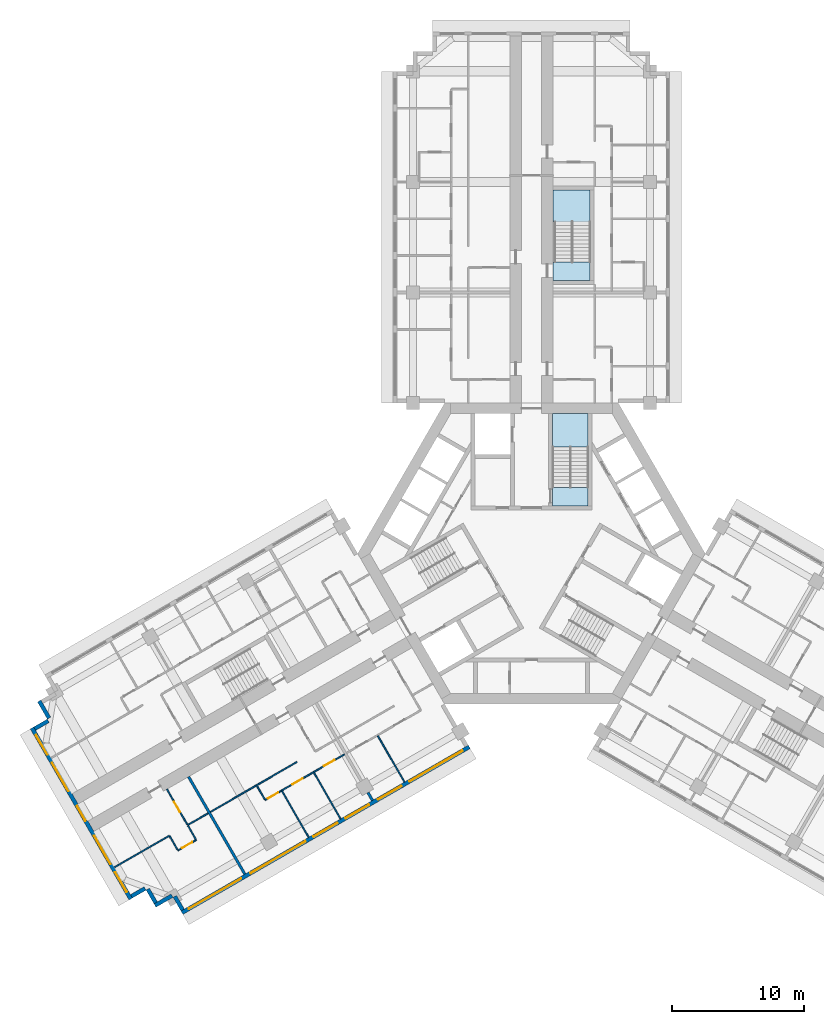
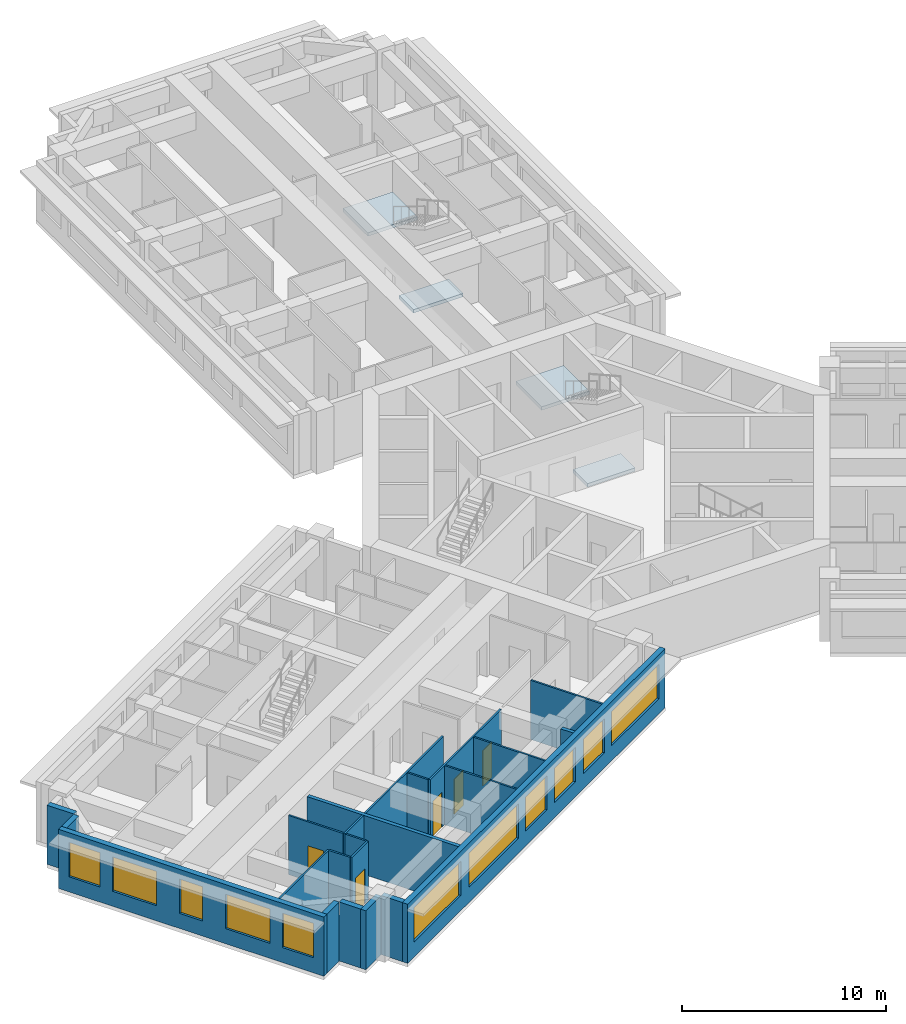
# One storey, part 2 of 13: 22 walls, 11 windows, 5 doors, 4 slabs, 16 openings, 2 elements without a shape of their own.
"""IFC4 building model written with IfcOpenShell, lengths in metres."""

from ifc_helpers import new_model, si_unit, direction, frame, frame_2d, origin, place, context, subcontext, project, spatial, polyline, rectangle, outline, extrude, material, layer, layer_set, type_object, element, fill, aggregate, save


model = new_model("IFC4")

# Units and contexts
model_context = context("Model", 3, precision=1e-05, world=origin(), true_north=direction((0.0, 1.0)))
body_context = subcontext(model_context, "Body", "Model", "MODEL_VIEW")
ifc_project = project(units=[si_unit("LENGTHUNIT", "METRE"), si_unit("AREAUNIT", "SQUARE_METRE"), si_unit("VOLUMEUNIT", "CUBIC_METRE"), si_unit("PLANEANGLEUNIT", "RADIAN"), si_unit("MASSUNIT", "GRAM", prefix="KILO")], contexts=[model_context])

# Site, building, storey
site_placement = place(None, origin())
site = spatial("IfcSite", under=ifc_project, at=site_placement, CompositionType="ELEMENT")
building_placement = place(site_placement, origin())
building = spatial("IfcBuilding", under=site, at=building_placement, Name="Impinga Residences", CompositionType="ELEMENT")
storey_placement = place(building_placement, frame((0.0, 0.0, 151.0)))
storey = spatial("IfcBuildingStorey", under=building, at=storey_placement, Name="L37", CompositionType="ELEMENT", Elevation=151.0)

# Stair, slabs
ifc_material_1 = material(Name="Concrete C40/50", Category="concrete")
stair_type_1 = type_object("IfcStairType", Name="STR core stair 3750 storey, 24 risers", PredefinedType="HALF_TURN_STAIR", material=ifc_material_1)
stair_1_placement = place(storey_placement, origin())
stair_1 = element("IfcStair", 1, at=stair_1_placement, inside=storey, type_object=stair_type_1, Name="Stair ST1 L37", PredefinedType="HALF_TURN_STAIR")
ifc_layer_1 = layer(ifc_material_1, 0.199951171875)
ifc_layer_set_1 = layer_set([ifc_layer_1], Name="Concrete C40/50")
slab_type = type_object("IfcSlabType", Name="LS1 stair landing 200", PredefinedType="LANDING", material=ifc_layer_set_1)
slab_1_placement = place(storey_placement, frame((0.0, 0.0, -0.199951171875)))
slab_1 = element("IfcSlab", 2, at=slab_1_placement, type_object=slab_type, Name="ST1 landing 1", PredefinedType="LANDING", context=body_context, shape_type="SweptSolid", body=[
    extrude(outline(polyline([(1.60009765625, 3.6298828125), (4.300048828125, 3.6298828125), (4.300048828125, 5.0400390625), (1.60009765625, 5.0400390625), (1.60009765625, 3.6298828125)])), origin(), (0.0, 0.0, 1.0), 0.199951171875),
])
slab_2_placement = place(storey_placement, frame((0.0, 0.0, 1.675048828125)))
slab_2 = element("IfcSlab", 3, at=slab_2_placement, type_object=slab_type, Name="ST1 landing 2", PredefinedType="LANDING", context=body_context, shape_type="SweptSolid", body=[
    extrude(outline(polyline([(1.60009765625, 8.10009765625), (4.300048828125, 8.10009765625), (4.300048828125, 10.631591796875), (1.60009765625, 10.631591796875), (1.60009765625, 8.10009765625)])), origin(), (0.0, 0.0, 1.0), 0.199951171875),
])
aggregate(stair_1, [slab_1, slab_2])

stair_type_2 = type_object("IfcStairType", Name="STR wing stair 3750 storey, 24 risers", PredefinedType="HALF_TURN_STAIR", material=ifc_material_1)
stair_2_placement = place(storey_placement, origin())
stair_2 = element("IfcStair", 4, at=stair_2_placement, inside=storey, type_object=stair_type_2, Name="Stair WS1 L37", PredefinedType="HALF_TURN_STAIR")
slab_3_placement = place(storey_placement, frame((0.0, 0.0, -0.199951171875)))
slab_3 = element("IfcSlab", 5, at=slab_3_placement, type_object=slab_type, Name="WS1 landing 1", PredefinedType="LANDING", context=body_context, shape_type="SweptSolid", body=[
    extrude(outline(polyline([(1.64990234375, 20.7314453125), (4.449951171875, 20.7314453125), (4.449951171875, 22.1416015625), (1.64990234375, 22.1416015625), (1.64990234375, 20.7314453125)])), origin(), (0.0, 0.0, 1.0), 0.199951171875),
])
slab_4_placement = place(storey_placement, frame((0.0, 0.0, 1.675048828125)))
slab_4 = element("IfcSlab", 6, at=slab_4_placement, type_object=slab_type, Name="WS1 landing 2", PredefinedType="LANDING", context=body_context, shape_type="SweptSolid", body=[
    extrude(outline(polyline([(1.64990234375, 25.201416015625), (4.449951171875, 25.201416015625), (4.449951171875, 27.631591796875), (1.64990234375, 27.631591796875), (1.64990234375, 25.201416015625)])), origin(), (0.0, 0.0, 1.0), 0.199951171875),
])
aggregate(stair_2, [slab_3, slab_4])

# Wall, openings, windows
ifc_material_2 = material(Name="Terracotta rainscreen on blockwork", Category="masonry")
ifc_layer_2 = layer(ifc_material_2, 0.300048828125)
ifc_layer_set_2 = layer_set([ifc_layer_2], Name="EW1 external wall, terracotta rainscreen on blockwork 300")
wall_type_1 = type_object("IfcWallType", Name="EW1 external wall, terracotta rainscreen on blockwork 300", PredefinedType="SOLIDWALL", material=ifc_layer_set_2)
wall_1_placement = place(storey_placement, frame((-4.72509765625, -14.67919921875, 0.0), z_axis=(0.0, 0.0, 1.0), x_axis=(-0.866026832479, -0.499997525421, 0.0)))
wall_1 = element("IfcWall", 7, at=wall_1_placement, inside=storey, type_object=wall_type_1, Name="External wall EW1 L37", PredefinedType="SOLIDWALL", context=body_context, shape_type="SweptSolid", body=[
    extrude(rectangle(XDim=25.199951171875, YDim=0.300048828125, at=frame_2d((12.60009765625, 0.0))), origin(), (0.0, 0.0, 1.0), 3.530029296875),
])
opening_1_placement = place(wall_1_placement, frame((0.60009765625, 0.0, 0.89990234375)))
opening_1 = element("IfcOpeningElement", 8, at=opening_1_placement, cuts=wall_1, Name="Opening W10", PredefinedType="OPENING", context=body_context, shape_type="SweptSolid", body=[
    extrude(rectangle(XDim=4.64990234375, YDim=2.050048828125, at=frame_2d((2.324951171875, 1.02490234375))), frame((0.0, 0.159912109375, 0.0), z_axis=(0.0, -1.0, 0.0), x_axis=(1.0, 0.0, 0.0)), (0.0, 0.0, 1.0), 0.320068359375),
])
opening_2_placement = place(wall_1_placement, frame((5.949951171875, 0.0, 0.89990234375)))
opening_2 = element("IfcOpeningElement", 9, at=opening_2_placement, cuts=wall_1, Name="Opening W14", PredefinedType="OPENING", context=body_context, shape_type="SweptSolid", body=[
    extrude(rectangle(XDim=2.050048828125, YDim=2.050048828125, at=frame_2d((1.02490234375, 1.02490234375))), frame((0.0, 0.159912109375, 0.0), z_axis=(0.0, -1.0, 0.0), x_axis=(1.0, 0.0, 0.0)), (0.0, 0.0, 1.0), 0.320068359375),
])
opening_3_placement = place(wall_1_placement, frame((8.800048828125, 0.0, 0.89990234375)))
opening_3 = element("IfcOpeningElement", 10, at=opening_3_placement, cuts=wall_1, Name="Opening W14", PredefinedType="OPENING", context=body_context, shape_type="SweptSolid", body=[
    extrude(rectangle(XDim=2.050048828125, YDim=2.050048828125, at=frame_2d((1.02490234375, 1.02490234375))), frame((0.0, 0.159912109375, 0.0), z_axis=(0.0, -1.0, 0.0), x_axis=(1.0, 0.0, 0.0)), (0.0, 0.0, 1.0), 0.320068359375),
])
opening_4_placement = place(wall_1_placement, frame((11.550048828125, 0.0, 0.89990234375)))
opening_4 = element("IfcOpeningElement", 11, at=opening_4_placement, cuts=wall_1, Name="Opening W9", PredefinedType="OPENING", context=body_context, shape_type="SweptSolid", body=[
    extrude(rectangle(XDim=2.10009765625, YDim=2.050048828125, at=frame_2d((1.050048828125, 1.02490234375))), frame((0.0, 0.159912109375, 0.0), z_axis=(0.0, -1.0, 0.0), x_axis=(1.0, 0.0, 0.0)), (0.0, 0.0, 1.0), 0.320068359375),
])
opening_5_placement = place(wall_1_placement, frame((14.35009765625, 0.0, 0.89990234375)))
opening_5 = element("IfcOpeningElement", 12, at=opening_5_placement, cuts=wall_1, Name="Opening W6", PredefinedType="OPENING", context=body_context, shape_type="SweptSolid", body=[
    extrude(rectangle(XDim=4.85009765625, YDim=2.050048828125, at=frame_2d((2.425048828125, 1.02490234375))), frame((0.0, 0.159912109375, 0.0), z_axis=(0.0, -1.0, 0.0), x_axis=(1.0, 0.0, 0.0)), (0.0, 0.0, 1.0), 0.320068359375),
])
opening_6_placement = place(wall_1_placement, frame((20.0, 0.0, 0.89990234375)))
opening_6 = element("IfcOpeningElement", 13, at=opening_6_placement, cuts=wall_1, Name="Opening W3", PredefinedType="OPENING", context=body_context, shape_type="SweptSolid", body=[
    extrude(rectangle(XDim=4.60009765625, YDim=2.050048828125, at=frame_2d((2.300048828125, 1.02490234375))), frame((0.0, 0.159912109375, 0.0), z_axis=(0.0, -1.0, 0.0), x_axis=(1.0, 0.0, 0.0)), (0.0, 0.0, 1.0), 0.320068359375),
])
ifc_material_3 = material(Name="Aluminium window, clear double glazing", Category="aluminium")
window_type_1 = type_object("IfcWindowType", Name="W10 ribbon window 4650x2050", PartitioningType="SINGLE_PANEL", PredefinedType="WINDOW", material=ifc_material_3)
window_1_placement = place(opening_1_placement, origin())
window_1 = element("IfcWindow", 14, at=window_1_placement, inside=storey, type_object=window_type_1, Name="Window L37", OverallHeight=2.050048828125, OverallWidth=4.64990234375, PartitioningType="SINGLE_PANEL", PredefinedType="WINDOW", context=body_context, shape_type="SweptSolid", body=[
    extrude(rectangle(XDim=4.64990234375, YDim=2.050048828125, at=frame_2d((2.324951171875, 1.02490234375))), frame((0.0, 0.030029296875, 0.0), z_axis=(0.0, -1.0, 0.0), x_axis=(1.0, 0.0, 0.0)), (0.0, 0.0, 1.0), 0.06005859375),
])
fill(opening_1, window_1)
window_type_2 = type_object("IfcWindowType", Name="W14 ribbon window 2050x2050", PartitioningType="SINGLE_PANEL", PredefinedType="WINDOW", material=ifc_material_3)
window_2_placement = place(opening_2_placement, origin())
window_2 = element("IfcWindow", 15, at=window_2_placement, inside=storey, type_object=window_type_2, Name="Window L37", OverallHeight=2.050048828125, OverallWidth=2.050048828125, PartitioningType="SINGLE_PANEL", PredefinedType="WINDOW", context=body_context, shape_type="SweptSolid", body=[
    extrude(rectangle(XDim=2.050048828125, YDim=2.050048828125, at=frame_2d((1.02490234375, 1.02490234375))), frame((0.0, 0.030029296875, 0.0), z_axis=(0.0, -1.0, 0.0), x_axis=(1.0, 0.0, 0.0)), (0.0, 0.0, 1.0), 0.06005859375),
])
fill(opening_2, window_2)
window_3_placement = place(opening_3_placement, origin())
window_3 = element("IfcWindow", 16, at=window_3_placement, inside=storey, type_object=window_type_2, Name="Window L37", OverallHeight=2.050048828125, OverallWidth=2.050048828125, PartitioningType="SINGLE_PANEL", PredefinedType="WINDOW", context=body_context, shape_type="SweptSolid", body=[
    extrude(rectangle(XDim=2.050048828125, YDim=2.050048828125, at=frame_2d((1.02490234375, 1.02490234375))), frame((0.0, 0.030029296875, 0.0), z_axis=(0.0, -1.0, 0.0), x_axis=(1.0, 0.0, 0.0)), (0.0, 0.0, 1.0), 0.06005859375),
])
fill(opening_3, window_3)
window_type_3 = type_object("IfcWindowType", Name="W3 ribbon window 4600x2050", PartitioningType="SINGLE_PANEL", PredefinedType="WINDOW", material=ifc_material_3)
window_4_placement = place(opening_6_placement, origin())
window_4 = element("IfcWindow", 17, at=window_4_placement, inside=storey, type_object=window_type_3, Name="Window L37", OverallHeight=2.050048828125, OverallWidth=4.60009765625, PartitioningType="SINGLE_PANEL", PredefinedType="WINDOW", context=body_context, shape_type="SweptSolid", body=[
    extrude(rectangle(XDim=4.60009765625, YDim=2.050048828125, at=frame_2d((2.300048828125, 1.02490234375))), frame((0.0, 0.030029296875, 0.0), z_axis=(0.0, -1.0, 0.0), x_axis=(1.0, 0.0, 0.0)), (0.0, 0.0, 1.0), 0.06005859375),
])
fill(opening_6, window_4)
window_type_4 = type_object("IfcWindowType", Name="W6 ribbon window 4850x2050", PartitioningType="SINGLE_PANEL", PredefinedType="WINDOW", material=ifc_material_3)
window_5_placement = place(opening_5_placement, origin())
window_5 = element("IfcWindow", 18, at=window_5_placement, inside=storey, type_object=window_type_4, Name="Window L37", OverallHeight=2.050048828125, OverallWidth=4.85009765625, PartitioningType="SINGLE_PANEL", PredefinedType="WINDOW", context=body_context, shape_type="SweptSolid", body=[
    extrude(rectangle(XDim=4.85009765625, YDim=2.050048828125, at=frame_2d((2.425048828125, 1.02490234375))), frame((0.0, 0.030029296875, 0.0), z_axis=(0.0, -1.0, 0.0), x_axis=(1.0, 0.0, 0.0)), (0.0, 0.0, 1.0), 0.06005859375),
])
fill(opening_5, window_5)
window_type_5 = type_object("IfcWindowType", Name="W9 ribbon window 2100x2050", PartitioningType="SINGLE_PANEL", PredefinedType="WINDOW", material=ifc_material_3)
window_6_placement = place(opening_4_placement, origin())
window_6 = element("IfcWindow", 19, at=window_6_placement, inside=storey, type_object=window_type_5, Name="Window L37", OverallHeight=2.050048828125, OverallWidth=2.10009765625, PartitioningType="SINGLE_PANEL", PredefinedType="WINDOW", context=body_context, shape_type="SweptSolid", body=[
    extrude(rectangle(XDim=2.10009765625, YDim=2.050048828125, at=frame_2d((1.050048828125, 1.02490234375))), frame((0.0, 0.030029296875, 0.0), z_axis=(0.0, -1.0, 0.0), x_axis=(1.0, 0.0, 0.0)), (0.0, 0.0, 1.0), 0.06005859375),
])
fill(opening_4, window_6)

# Walls
wall_2_placement = place(storey_placement, frame((-26.493896484375, -27.07421875, 0.0), z_axis=(0.0, 0.0, 1.0), x_axis=(-0.500033551112, 0.866006032174, 0.0)))
element("IfcWall", 20, at=wall_2_placement, inside=storey, type_object=wall_type_1, Name="External wall EW1 L37", PredefinedType="SOLIDWALL", context=body_context, shape_type="SweptSolid", body=[
    extrude(rectangle(XDim=1.2001953125, YDim=0.300048828125, at=frame_2d((0.60009765625, 0.0))), origin(), (0.0, 0.0, 1.0), 3.530029296875),
])
wall_3_placement = place(storey_placement, frame((-27.30322265625, -25.982666015625, 0.0), z_axis=(0.0, 0.0, 1.0), x_axis=(-0.866074087889, -0.499915667175, 0.0)))
element("IfcWall", 21, at=wall_3_placement, inside=storey, type_object=wall_type_1, Name="External wall EW1 L37", PredefinedType="SOLIDWALL", context=body_context, shape_type="SweptSolid", body=[
    extrude(rectangle(XDim=1.494873046875, YDim=0.300048828125, at=frame_2d((0.74755859375, 0.0))), origin(), (0.0, 0.0, 1.0), 3.530029296875),
])
wall_4_placement = place(storey_placement, frame((-28.54296875, -26.525146484375, 0.0), z_axis=(0.0, 0.0, 1.0), x_axis=(-0.500033551112, 0.866006032174, 0.0)))
element("IfcWall", 22, at=wall_4_placement, inside=storey, type_object=wall_type_1, Name="External wall EW1 L37", PredefinedType="SOLIDWALL", context=body_context, shape_type="SweptSolid", body=[
    extrude(rectangle(XDim=1.2001953125, YDim=0.300048828125, at=frame_2d((0.60009765625, 0.0))), origin(), (0.0, 0.0, 1.0), 3.530029296875),
])
wall_5_placement = place(storey_placement, frame((-29.352294921875, -25.43359375, 0.0), z_axis=(0.0, 0.0, 1.0), x_axis=(-0.866059708757, -0.499940577336, 0.0)))
element("IfcWall", 23, at=wall_5_placement, inside=storey, type_object=wall_type_1, Name="External wall EW1 L37", PredefinedType="SOLIDWALL", context=body_context, shape_type="SweptSolid", body=[
    extrude(rectangle(XDim=1.195068359375, YDim=0.300048828125, at=frame_2d((0.59765625, 0.0))), origin(), (0.0, 0.0, 1.0), 3.530029296875),
])

# Wall, openings, windows
wall_6_placement = place(storey_placement, frame((-30.44189453125, -26.23583984375, 0.0), z_axis=(0.0, 0.0, 1.0), x_axis=(-0.500004234368, 0.866022959057, 0.0)))
wall_6 = element("IfcWall", 24, at=wall_6_placement, inside=storey, type_object=wall_type_1, Name="External wall EW1 L37", PredefinedType="SOLIDWALL", context=body_context, shape_type="SweptSolid", body=[
    extrude(rectangle(XDim=14.999755859375, YDim=0.300048828125, at=frame_2d((7.5, 0.0))), origin(), (0.0, 0.0, 1.0), 3.530029296875),
])
opening_7_placement = place(wall_6_placement, frame((0.60009765625, 0.0, 0.89990234375)))
opening_7 = element("IfcOpeningElement", 25, at=opening_7_placement, cuts=wall_6, Name="Opening W1", PredefinedType="OPENING", context=body_context, shape_type="SweptSolid", body=[
    extrude(rectangle(XDim=1.75, YDim=2.050048828125, at=frame_2d((0.875, 1.02490234375))), frame((0.0, 0.159912109375, 0.0), z_axis=(0.0, -1.0, 0.0), x_axis=(1.0, 0.0, 0.0)), (0.0, 0.0, 1.0), 0.320068359375),
])
opening_8_placement = place(wall_6_placement, frame((3.050048828125, 0.0, 0.89990234375)))
opening_8 = element("IfcOpeningElement", 26, at=opening_8_placement, cuts=wall_6, Name="Opening W2", PredefinedType="OPENING", context=body_context, shape_type="SweptSolid", body=[
    extrude(rectangle(XDim=2.5, YDim=2.050048828125, at=frame_2d((1.25, 1.02490234375))), frame((0.0, 0.159912109375, 0.0), z_axis=(0.0, -1.0, 0.0), x_axis=(1.0, 0.0, 0.0)), (0.0, 0.0, 1.0), 0.320068359375),
])
opening_9_placement = place(wall_6_placement, frame((6.85009765625, 0.0, 0.89990234375)))
opening_9 = element("IfcOpeningElement", 27, at=opening_9_placement, cuts=wall_6, Name="Opening W17", PredefinedType="OPENING", context=body_context, shape_type="SweptSolid", body=[
    extrude(rectangle(XDim=1.300048828125, YDim=2.050048828125, at=frame_2d((0.64990234375, 1.02490234375))), frame((0.0, 0.159912109375, 0.0), z_axis=(0.0, -1.0, 0.0), x_axis=(1.0, 0.0, 0.0)), (0.0, 0.0, 1.0), 0.320068359375),
])
opening_10_placement = place(wall_6_placement, frame((9.449951171875, 0.0, 0.89990234375)))
opening_10 = element("IfcOpeningElement", 28, at=opening_10_placement, cuts=wall_6, Name="Opening W2", PredefinedType="OPENING", context=body_context, shape_type="SweptSolid", body=[
    extrude(rectangle(XDim=2.5, YDim=2.050048828125, at=frame_2d((1.25, 1.02490234375))), frame((0.0, 0.159912109375, 0.0), z_axis=(0.0, -1.0, 0.0), x_axis=(1.0, 0.0, 0.0)), (0.0, 0.0, 1.0), 0.320068359375),
])
opening_11_placement = place(wall_6_placement, frame((12.64990234375, 0.0, 0.89990234375)))
opening_11 = element("IfcOpeningElement", 29, at=opening_11_placement, cuts=wall_6, Name="Opening W1", PredefinedType="OPENING", context=body_context, shape_type="SweptSolid", body=[
    extrude(rectangle(XDim=1.75, YDim=2.050048828125, at=frame_2d((0.875, 1.02490234375))), frame((0.0, 0.159912109375, 0.0), z_axis=(0.0, -1.0, 0.0), x_axis=(1.0, 0.0, 0.0)), (0.0, 0.0, 1.0), 0.320068359375),
])
window_type_6 = type_object("IfcWindowType", Name="W1 ribbon window 1750x2050", PartitioningType="SINGLE_PANEL", PredefinedType="WINDOW", material=ifc_material_3)
window_7_placement = place(opening_7_placement, origin())
window_7 = element("IfcWindow", 30, at=window_7_placement, inside=storey, type_object=window_type_6, Name="Window L37", OverallHeight=2.050048828125, OverallWidth=1.75, PartitioningType="SINGLE_PANEL", PredefinedType="WINDOW", context=body_context, shape_type="SweptSolid", body=[
    extrude(rectangle(XDim=1.75, YDim=2.050048828125, at=frame_2d((0.875, 1.02490234375))), frame((0.0, 0.030029296875, 0.0), z_axis=(0.0, -1.0, 0.0), x_axis=(1.0, 0.0, 0.0)), (0.0, 0.0, 1.0), 0.06005859375),
])
fill(opening_7, window_7)
window_8_placement = place(opening_11_placement, origin())
window_8 = element("IfcWindow", 31, at=window_8_placement, inside=storey, type_object=window_type_6, Name="Window L37", OverallHeight=2.050048828125, OverallWidth=1.75, PartitioningType="SINGLE_PANEL", PredefinedType="WINDOW", context=body_context, shape_type="SweptSolid", body=[
    extrude(rectangle(XDim=1.75, YDim=2.050048828125, at=frame_2d((0.875, 1.02490234375))), frame((0.0, 0.030029296875, 0.0), z_axis=(0.0, -1.0, 0.0), x_axis=(1.0, 0.0, 0.0)), (0.0, 0.0, 1.0), 0.06005859375),
])
fill(opening_11, window_8)
window_type_7 = type_object("IfcWindowType", Name="W17 ribbon window 1300x2050", PartitioningType="SINGLE_PANEL", PredefinedType="WINDOW", material=ifc_material_3)
window_9_placement = place(opening_9_placement, origin())
window_9 = element("IfcWindow", 32, at=window_9_placement, inside=storey, type_object=window_type_7, Name="Window L37", OverallHeight=2.050048828125, OverallWidth=1.300048828125, PartitioningType="SINGLE_PANEL", PredefinedType="WINDOW", context=body_context, shape_type="SweptSolid", body=[
    extrude(rectangle(XDim=1.300048828125, YDim=2.050048828125, at=frame_2d((0.64990234375, 1.02490234375))), frame((0.0, 0.030029296875, 0.0), z_axis=(0.0, -1.0, 0.0), x_axis=(1.0, 0.0, 0.0)), (0.0, 0.0, 1.0), 0.06005859375),
])
fill(opening_9, window_9)
window_type_8 = type_object("IfcWindowType", Name="W2 ribbon window 2500x2050", PartitioningType="SINGLE_PANEL", PredefinedType="WINDOW", material=ifc_material_3)
window_10_placement = place(opening_8_placement, origin())
window_10 = element("IfcWindow", 33, at=window_10_placement, inside=storey, type_object=window_type_8, Name="Window L37", OverallHeight=2.050048828125, OverallWidth=2.5, PartitioningType="SINGLE_PANEL", PredefinedType="WINDOW", context=body_context, shape_type="SweptSolid", body=[
    extrude(rectangle(XDim=2.5, YDim=2.050048828125, at=frame_2d((1.25, 1.02490234375))), frame((0.0, 0.030029296875, 0.0), z_axis=(0.0, -1.0, 0.0), x_axis=(1.0, 0.0, 0.0)), (0.0, 0.0, 1.0), 0.06005859375),
])
fill(opening_8, window_10)
window_11_placement = place(opening_10_placement, origin())
window_11 = element("IfcWindow", 34, at=window_11_placement, inside=storey, type_object=window_type_8, Name="Window L37", OverallHeight=2.050048828125, OverallWidth=2.5, PartitioningType="SINGLE_PANEL", PredefinedType="WINDOW", context=body_context, shape_type="SweptSolid", body=[
    extrude(rectangle(XDim=2.5, YDim=2.050048828125, at=frame_2d((1.25, 1.02490234375))), frame((0.0, 0.030029296875, 0.0), z_axis=(0.0, -1.0, 0.0), x_axis=(1.0, 0.0, 0.0)), (0.0, 0.0, 1.0), 0.06005859375),
])
fill(opening_10, window_11)

# Walls
wall_7_placement = place(storey_placement, frame((-37.737060546875, -13.300537109375, 0.0), z_axis=(0.0, 0.0, 1.0), x_axis=(0.865971243484, 0.500093796661, 0.0)))
element("IfcWall", 35, at=wall_7_placement, inside=storey, type_object=wall_type_1, Name="External wall EW1 L37", PredefinedType="SOLIDWALL", context=body_context, shape_type="SweptSolid", body=[
    extrude(rectangle(XDim=1.195068359375, YDim=0.300048828125, at=frame_2d((0.59765625, 0.0))), origin(), (0.0, 0.0, 1.0), 3.530029296875),
])
wall_8_placement = place(storey_placement, frame((-36.64306640625, -12.49560546875, 0.0), z_axis=(0.0, 0.0, 1.0), x_axis=(-0.499990139034, 0.866031096941, 0.0)))
element("IfcWall", 36, at=wall_8_placement, inside=storey, type_object=wall_type_1, Name="External wall EW1 L37", PredefinedType="SOLIDWALL", context=body_context, shape_type="SweptSolid", body=[
    extrude(rectangle(XDim=1.5, YDim=0.300048828125, at=frame_2d((0.75, 0.0))), origin(), (0.0, 0.0, 1.0), 3.530029296875),
])
ifc_material_4 = material(Name="Gypsum board on steel studs", Category="steel")
ifc_layer_3 = layer(ifc_material_4, 0.10009765625)
ifc_layer_set_3 = layer_set([ifc_layer_3], Name="Gypsum board on steel studs")
wall_type_2 = type_object("IfcWallType", Name="IP1 partition 100", PredefinedType="PARTITIONING", material=ifc_layer_set_3)
wall_9_placement = place(storey_placement, frame((-11.6748046875, -13.841796875, 0.0), z_axis=(0.0, 0.0, 1.0), x_axis=(0.500035537042, -0.866004885491, 0.0)))
element("IfcWall", 37, at=wall_9_placement, inside=storey, type_object=wall_type_2, Name="Partition L37-WA1:OB1", PredefinedType="PARTITIONING", context=body_context, shape_type="SweptSolid", body=[
    extrude(rectangle(XDim=4.050048828125, YDim=0.10009765625, at=frame_2d((2.02490234375, 0.0))), origin(), (0.0, 0.0, 1.0), 3.530029296875),
])
wall_10_placement = place(storey_placement, frame((-17.8056640625, -15.82275390625, 0.0), z_axis=(0.0, 0.0, 1.0), x_axis=(-0.866022425744, -0.500005158081, 0.0)))
element("IfcWall", 38, at=wall_10_placement, inside=storey, type_object=wall_type_2, Name="Partition L37-WA2:DIV1", PredefinedType="PARTITIONING", context=body_context, shape_type="SweptSolid", body=[
    extrude(rectangle(XDim=7.60009765625, YDim=0.10009765625, at=frame_2d((3.800048828125, 0.0))), origin(), (0.0, 0.0, 1.0), 3.530029296875),
])

# Wall, openings, doors
wall_11_placement = place(storey_placement, frame((-14.211181640625, -15.24853515625, 0.0), z_axis=(0.0, 0.0, 1.0), x_axis=(-0.866016523273, -0.500015381182, 0.0)))
wall_11 = element("IfcWall", 39, at=wall_11_placement, inside=storey, type_object=wall_type_2, Name="Partition L37-WA2:STRIP", PredefinedType="PARTITIONING", context=body_context, shape_type="SweptSolid", body=[
    extrude(rectangle(XDim=6.949951171875, YDim=0.10009765625, at=frame_2d((3.47509765625, 0.0))), origin(), (0.0, 0.0, 1.0), 3.530029296875),
])
opening_12_placement = place(wall_11_placement, frame((0.875, 0.0, 0.0)))
opening_12 = element("IfcOpeningElement", 40, at=opening_12_placement, cuts=wall_11, Name="Opening D2", PredefinedType="OPENING", context=body_context, shape_type="SweptSolid", body=[
    extrude(rectangle(XDim=0.89990234375, YDim=2.10009765625, at=frame_2d((0.449951171875, 1.050048828125))), frame((0.0, 0.06005859375, 0.0), z_axis=(0.0, -1.0, 0.0), x_axis=(1.0, 0.0, 0.0)), (0.0, 0.0, 1.0), 0.1201171875),
])
opening_13_placement = place(wall_11_placement, frame((3.64990234375, 0.0, 0.0)))
opening_13 = element("IfcOpeningElement", 41, at=opening_13_placement, cuts=wall_11, Name="Opening D2", PredefinedType="OPENING", context=body_context, shape_type="SweptSolid", body=[
    extrude(rectangle(XDim=0.89990234375, YDim=2.10009765625, at=frame_2d((0.449951171875, 1.050048828125))), frame((0.0, 0.06005859375, 0.0), z_axis=(0.0, -1.0, 0.0), x_axis=(1.0, 0.0, 0.0)), (0.0, 0.0, 1.0), 0.1201171875),
])
opening_14_placement = place(wall_11_placement, frame((5.800048828125, 0.0, 0.0)))
opening_14 = element("IfcOpeningElement", 42, at=opening_14_placement, cuts=wall_11, Name="Opening D2", PredefinedType="OPENING", context=body_context, shape_type="SweptSolid", body=[
    extrude(rectangle(XDim=0.89990234375, YDim=2.10009765625, at=frame_2d((0.449951171875, 1.050048828125))), frame((0.0, 0.06005859375, 0.0), z_axis=(0.0, -1.0, 0.0), x_axis=(1.0, 0.0, 0.0)), (0.0, 0.0, 1.0), 0.1201171875),
])
ifc_material_5 = material(Name="Timber door set", Category="wood")
door_type = type_object("IfcDoorType", Name="D2 internal door 900x2100", OperationType="SINGLE_SWING_LEFT", PredefinedType="DOOR", material=ifc_material_5)
door_1_placement = place(opening_12_placement, origin())
door_1 = element("IfcDoor", 43, at=door_1_placement, inside=storey, type_object=door_type, Name="Apartment L37-WA2 room door", OperationType="SINGLE_SWING_LEFT", OverallHeight=2.10009765625, OverallWidth=0.89990234375, PredefinedType="DOOR", context=body_context, shape_type="SweptSolid", body=[
    extrude(rectangle(XDim=0.89990234375, YDim=2.10009765625, at=frame_2d((0.449951171875, 1.050048828125))), frame((0.0, 0.02490234375, 0.0), z_axis=(0.0, -1.0, 0.0), x_axis=(1.0, 0.0, 0.0)), (0.0, 0.0, 1.0), 0.050048828125),
])
fill(opening_12, door_1)
door_2_placement = place(opening_13_placement, origin())
door_2 = element("IfcDoor", 44, at=door_2_placement, inside=storey, type_object=door_type, Name="Apartment L37-WA2 room door", OperationType="SINGLE_SWING_RIGHT", OverallHeight=2.10009765625, OverallWidth=0.89990234375, PredefinedType="DOOR", context=body_context, shape_type="SweptSolid", body=[
    extrude(rectangle(XDim=0.89990234375, YDim=2.10009765625, at=frame_2d((0.449951171875, 1.050048828125))), frame((0.0, 0.02490234375, 0.0), z_axis=(0.0, -1.0, 0.0), x_axis=(1.0, 0.0, 0.0)), (0.0, 0.0, 1.0), 0.050048828125),
])
fill(opening_13, door_2)
door_3_placement = place(opening_14_placement, origin())
door_3 = element("IfcDoor", 45, at=door_3_placement, inside=storey, type_object=door_type, Name="Apartment L37-WA2 room door", OperationType="SINGLE_SWING_RIGHT", OverallHeight=2.10009765625, OverallWidth=0.89990234375, PredefinedType="DOOR", context=body_context, shape_type="SweptSolid", body=[
    extrude(rectangle(XDim=0.89990234375, YDim=2.10009765625, at=frame_2d((0.449951171875, 1.050048828125))), frame((0.0, 0.02490234375, 0.0), z_axis=(0.0, -1.0, 0.0), x_axis=(1.0, 0.0, 0.0)), (0.0, 0.0, 1.0), 0.050048828125),
])
fill(opening_14, door_3)

# Walls
wall_12_placement = place(storey_placement, frame((-20.85498046875, -17.640869140625, 0.0), z_axis=(0.0, 0.0, 1.0), x_axis=(0.499880961361, -0.866094119867, 0.0)))
element("IfcWall", 46, at=wall_12_placement, inside=storey, type_object=wall_type_2, Name="Partition L37-WA2:SE1", PredefinedType="PARTITIONING", context=body_context, shape_type="SweptSolid", body=[
    extrude(rectangle(XDim=1.199951171875, YDim=0.10009765625, at=frame_2d((0.60009765625, 0.0))), origin(), (0.0, 0.0, 1.0), 3.530029296875),
])
wall_13_placement = place(storey_placement, frame((-16.5244140625, -16.641845703125, 0.0), z_axis=(0.0, 0.0, 1.0), x_axis=(0.499990325971, -0.866030989016, 0.0)))
element("IfcWall", 47, at=wall_13_placement, inside=storey, type_object=wall_type_2, Name="Partition L37-WA2:OB1", PredefinedType="PARTITIONING", context=body_context, shape_type="SweptSolid", body=[
    extrude(rectangle(XDim=4.0498046875, YDim=0.10009765625, at=frame_2d((2.02490234375, 0.0))), origin(), (0.0, 0.0, 1.0), 3.530029296875),
])
wall_14_placement = place(storey_placement, frame((-18.949462890625, -18.041748046875, 0.0), z_axis=(0.0, 0.0, 1.0), x_axis=(0.50000943426, -0.866019956843, 0.0)))
element("IfcWall", 48, at=wall_14_placement, inside=storey, type_object=wall_type_2, Name="Partition L37-WA2:OB2", PredefinedType="PARTITIONING", context=body_context, shape_type="SweptSolid", body=[
    extrude(rectangle(XDim=4.05029296875, YDim=0.10009765625, at=frame_2d((2.025146484375, 0.0))), origin(), (0.0, 0.0, 1.0), 3.530029296875),
])
wall_15_placement = place(storey_placement, frame((-24.560791015625, -19.72265625, 0.0), z_axis=(0.0, 0.0, 1.0), x_axis=(-0.865989075817, -0.500062916607, 0.0)))
element("IfcWall", 49, at=wall_15_placement, inside=storey, type_object=wall_type_2, Name="Partition L37-WA3:DIV0", PredefinedType="PARTITIONING", context=body_context, shape_type="SweptSolid", body=[
    extrude(rectangle(XDim=1.800048828125, YDim=0.10009765625, at=frame_2d((0.89990234375, 0.0))), origin(), (0.0, 0.0, 1.0), 3.530029296875),
])
wall_16_placement = place(storey_placement, frame((-27.505126953125, -21.422607421875, 0.0), z_axis=(0.0, 0.0, 1.0), x_axis=(-0.866015339567, -0.500017431331, 0.0)))
element("IfcWall", 50, at=wall_16_placement, inside=storey, type_object=wall_type_2, Name="Partition L37-WA3:DIV1", PredefinedType="PARTITIONING", context=body_context, shape_type="SweptSolid", body=[
    extrude(rectangle(XDim=4.800048828125, YDim=0.10009765625, at=frame_2d((2.39990234375, 0.0))), origin(), (0.0, 0.0, 1.0), 3.530029296875),
])

# Wall, opening, door
wall_17_placement = place(storey_placement, frame((-25.469482421875, -21.74853515625, 0.0), z_axis=(0.0, 0.0, 1.0), x_axis=(-0.866028054938, -0.499995408039, 0.0)))
wall_17 = element("IfcWall", 51, at=wall_17_placement, inside=storey, type_object=wall_type_2, Name="Partition L37-WA3:STRIP", PredefinedType="PARTITIONING", context=body_context, shape_type="SweptSolid", body=[
    extrude(rectangle(XDim=1.60009765625, YDim=0.10009765625, at=frame_2d((0.800048828125, 0.0))), origin(), (0.0, 0.0, 1.0), 3.530029296875),
])
opening_15_placement = place(wall_17_placement, frame((0.35009765625, 0.0, 0.0)))
opening_15 = element("IfcOpeningElement", 52, at=opening_15_placement, cuts=wall_17, Name="Opening D2", PredefinedType="OPENING", context=body_context, shape_type="SweptSolid", body=[
    extrude(rectangle(XDim=0.89990234375, YDim=2.10009765625, at=frame_2d((0.449951171875, 1.050048828125))), frame((0.0, 0.06005859375, 0.0), z_axis=(0.0, -1.0, 0.0), x_axis=(1.0, 0.0, 0.0)), (0.0, 0.0, 1.0), 0.1201171875),
])
door_4_placement = place(opening_15_placement, origin())
door_4 = element("IfcDoor", 53, at=door_4_placement, inside=storey, type_object=door_type, Name="Apartment L37-WA3 room door", OperationType="SINGLE_SWING_LEFT", OverallHeight=2.10009765625, OverallWidth=0.89990234375, PredefinedType="DOOR", context=body_context, shape_type="SweptSolid", body=[
    extrude(rectangle(XDim=0.89990234375, YDim=2.10009765625, at=frame_2d((0.449951171875, 1.050048828125))), frame((0.0, 0.02490234375, 0.0), z_axis=(0.0, -1.0, 0.0), x_axis=(1.0, 0.0, 0.0)), (0.0, 0.0, 1.0), 0.050048828125),
])
fill(opening_15, door_4)

# Walls
for number, where, z_axis, x_axis, name in (
    (54, (-26.094482421875, -20.666015625, 0.0), (0.0, 0.0, 1.0), (0.499880961361, -0.866094119867, 0.0), "Partition L37-WA3:SE0"),
    (55, (-27.480224609375, -21.466064453125, 0.0), (0.0, 0.0, 1.0), (0.50012165622, -0.865955154139, 0.0), "Partition L37-WA3:SE1"),
):
    element("IfcWall", number, at=place(storey_placement, frame(where, z_axis=z_axis, x_axis=x_axis)), inside=storey, type_object=wall_type_2, Name=name, PredefinedType="PARTITIONING", context=body_context, shape_type="SweptSolid", body=[
        extrude(rectangle(XDim=1.199951171875, YDim=0.10009765625, at=frame_2d((0.60009765625, 0.0))), origin(), (0.0, 0.0, 1.0), 3.530029296875),
    ])

# Wall, opening, door
wall_18_placement = place(storey_placement, frame((-27.694580078125, -17.894775390625, 0.0), z_axis=(0.0, 0.0, 1.0), x_axis=(0.500026960575, -0.86600983753, 0.0)))
wall_18 = element("IfcWall", 56, at=wall_18_placement, inside=storey, type_object=wall_type_2, Name="Partition L37-WA3:IB1", PredefinedType="PARTITIONING", context=body_context, shape_type="SweptSolid", body=[
    extrude(rectangle(XDim=3.099853515625, YDim=0.10009765625, at=frame_2d((1.5498046875, 0.0))), origin(), (0.0, 0.0, 1.0), 3.530029296875),
])
opening_16_placement = place(wall_18_placement, frame((1.10009765625, 0.0, 0.0)))
opening_16 = element("IfcOpeningElement", 57, at=opening_16_placement, cuts=wall_18, Name="Opening D2", PredefinedType="OPENING", context=body_context, shape_type="SweptSolid", body=[
    extrude(rectangle(XDim=0.89990234375, YDim=2.10009765625, at=frame_2d((0.449951171875, 1.050048828125))), frame((0.0, 0.06005859375, 0.0), z_axis=(0.0, -1.0, 0.0), x_axis=(1.0, 0.0, 0.0)), (0.0, 0.0, 1.0), 0.1201171875),
])
door_5_placement = place(opening_16_placement, origin())
door_5 = element("IfcDoor", 58, at=door_5_placement, inside=storey, type_object=door_type, Name="Apartment L37-WA3 bathroom door", OperationType="SINGLE_SWING_LEFT", OverallHeight=2.10009765625, OverallWidth=0.89990234375, PredefinedType="DOOR", context=body_context, shape_type="SweptSolid", body=[
    extrude(rectangle(XDim=0.89990234375, YDim=2.10009765625, at=frame_2d((0.449951171875, 1.050048828125))), frame((0.0, 0.02490234375, 0.0), z_axis=(0.0, -1.0, 0.0), x_axis=(1.0, 0.0, 0.0)), (0.0, 0.0, 1.0), 0.050048828125),
])
fill(opening_16, door_5)

# Walls
ifc_material_6 = material(Name="Concrete blockwork", Category="masonry")
ifc_layer_4 = layer(ifc_material_6, 0.199951171875)
ifc_layer_set_4 = layer_set([ifc_layer_4], Name="PW1 party wall between apartments 200")
wall_type_3 = type_object("IfcWallType", Name="PW1 party wall between apartments 200", PredefinedType="SOLIDWALL", material=ifc_layer_set_4)
wall_19_placement = place(storey_placement, frame((-12.424560546875, -18.14306640625, 0.0), z_axis=(0.0, 0.0, 1.0), x_axis=(0.499853302173, -0.866110083249, 0.0)))
element("IfcWall", 59, at=wall_19_placement, inside=storey, type_object=wall_type_3, Name="Party wall between apartments L37-WA1:PARTYb", PredefinedType="SOLIDWALL", context=body_context, shape_type="SweptSolid", body=[
    extrude(rectangle(XDim=0.699951171875, YDim=0.199951171875, at=frame_2d((0.35009765625, 0.0))), origin(), (0.0, 0.0, 1.0), 3.530029296875),
])
wall_20_placement = place(storey_placement, frame((-26.049072265625, -16.94482421875, 0.0), z_axis=(0.0, 0.0, 1.0), x_axis=(0.500002592159, -0.866023907196, 0.0)))
element("IfcWall", 60, at=wall_20_placement, inside=storey, type_object=wall_type_3, Name="Party wall between apartments L37-WA2:PARTY", PredefinedType="SOLIDWALL", context=body_context, shape_type="SweptSolid", body=[
    extrude(rectangle(XDim=8.5498046875, YDim=0.199951171875, at=frame_2d((4.27490234375, 0.0))), origin(), (0.0, 0.0, 1.0), 3.530029296875),
])

save(model, "model.ifc")
